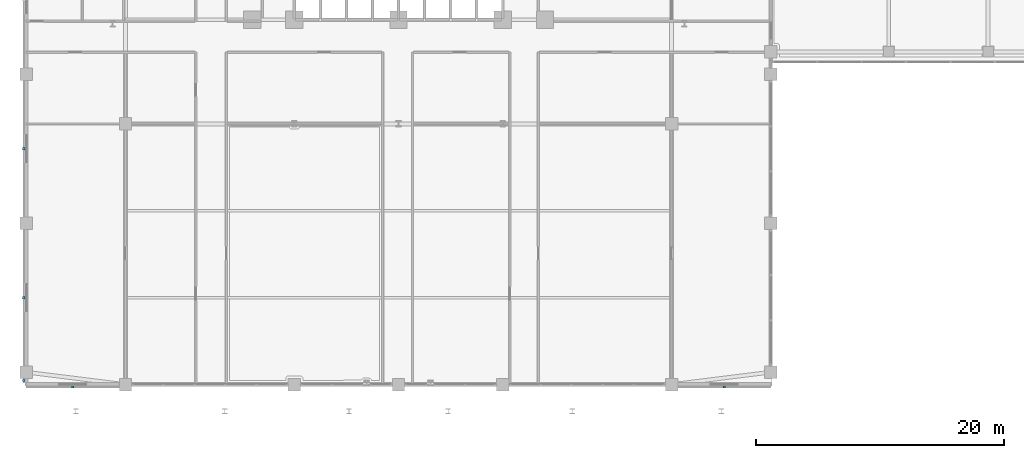
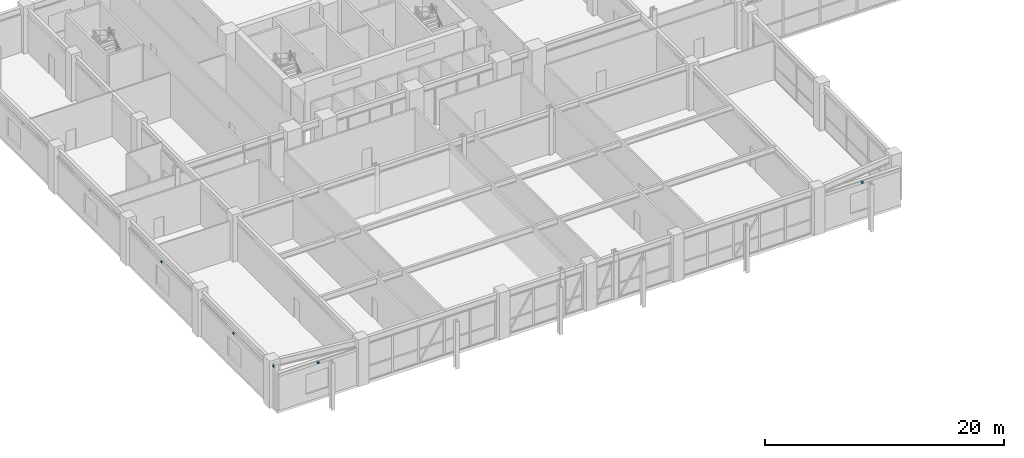
# One storey, part 38 of 48: 5 discrete accessories.
"""IFC4 building model written with IfcOpenShell, lengths in metres."""

from ifc_helpers import new_model, si_unit, derived_unit, direction, frame, origin, origin_2d, place, context, subcontext, project, spatial, rectangle, extrude, source, transform, mapped, material, type_object, element, save


model = new_model("IFC4")

# Units and contexts
model_context = context("Model", 3, precision=1e-05, world=origin(), true_north=direction((0.0, 1.0)))
body_context = subcontext(model_context, "Body", "Model", "MODEL_VIEW")
ifc_project = project(units=[si_unit("LENGTHUNIT", "METRE"), si_unit("AREAUNIT", "SQUARE_METRE"), si_unit("VOLUMEUNIT", "CUBIC_METRE"), si_unit("PLANEANGLEUNIT", "RADIAN"), si_unit("MASSUNIT", "GRAM", prefix="KILO"), derived_unit("THERMALTRANSMITTANCEUNIT", [(si_unit("POWERUNIT", "WATT"), 1), (si_unit("LENGTHUNIT", "METRE"), -2), (si_unit("THERMODYNAMICTEMPERATUREUNIT", "KELVIN"), -1)])], contexts=[model_context])

# Site, building, storey
site_placement = place(None, origin())
site = spatial("IfcSite", under=ifc_project, at=site_placement, CompositionType="ELEMENT")
building_placement = place(site_placement, origin())
building = spatial("IfcBuilding", under=site, at=building_placement, Name="Korsvarv Bourse and Concert Hall", CompositionType="ELEMENT")
storey_placement = place(building_placement, frame((0.0, 0.0, 4.800048828125)))
storey = spatial("IfcBuildingStorey", under=building, at=storey_placement, Name="L01", CompositionType="ELEMENT", Elevation=4.800048828125)

# Discrete accessories
ifc_material = material(Name="Stainless Steel S355 facade outrigger bracket", Category="steel")
discrete_accessory_type = type_object("IfcDiscreteAccessoryType", Name="ACC-BRK-1", PredefinedType="BRACKET", material=ifc_material)
shared_shape = source(origin(), body_context, "Body", "SweptSolid", [
    extrude(rectangle(XDim=0.179931640625, YDim=0.179931640625, at=origin_2d()), origin(), (0.0, 0.0, 1.0), 0.199951171875),
])
for number, where, z_axis, x_axis, name in (
    (1, (9.74755859375, 2.800048828125, 3.56005859375), (0.0, 0.0, 1.0), (1.0, 0.0, 0.0), "L01 terracotta sunshade bracket EW-L01-S1"),
    (2, (62.25244140625, 2.800048828125, 3.56005859375), (0.0, 0.0, 1.0), (1.0, 0.0, 0.0), "L01 terracotta sunshade bracket EW-L01-S6"),
    (3, (5.800048828125, 3.327392578125, 4.259765625), (0.0, 0.0, 1.0), (0.0, 1.0, 0.0), "L01 terracotta sunshade bracket EW-L01-W1-1"),
    (4, (5.800048828125, 10.0, 3.56005859375), (0.0, 0.0, 1.0), (0.0, 1.0, 0.0), "L01 terracotta sunshade bracket EW-L01-W1-2"),
    (5, (5.800048828125, 22.0, 3.56005859375), (0.0, 0.0, 1.0), (0.0, 1.0, 0.0), "L01 terracotta sunshade bracket EW-L01-W2"),
):
    element("IfcDiscreteAccessory", number, at=place(storey_placement, frame(where, z_axis=z_axis, x_axis=x_axis)), inside=storey, type_object=discrete_accessory_type, Name=name, PredefinedType="BRACKET", context=body_context, shape_type="MappedRepresentation", body=[
        mapped(shared_shape, transform((0.0, 0.0, 0.0), scale=1.0)),
    ])

save(model, "model.ifc")
